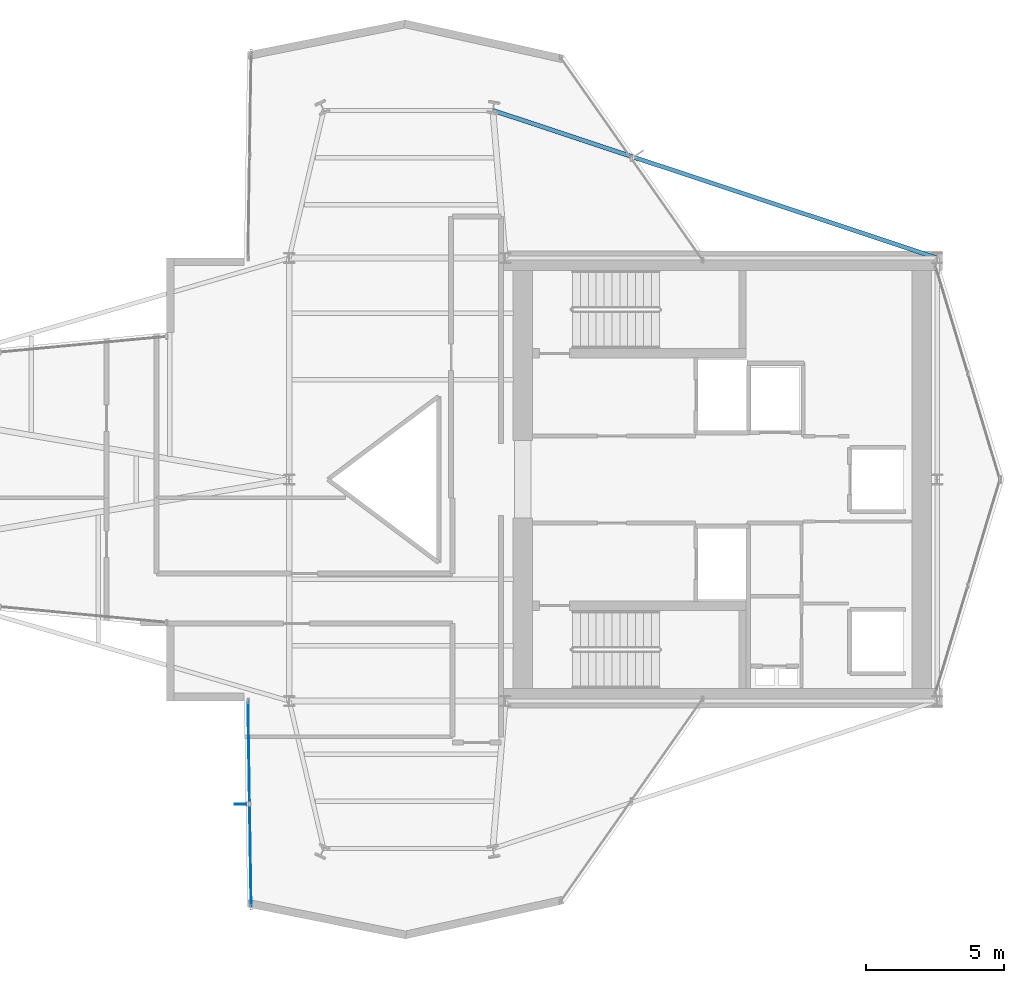
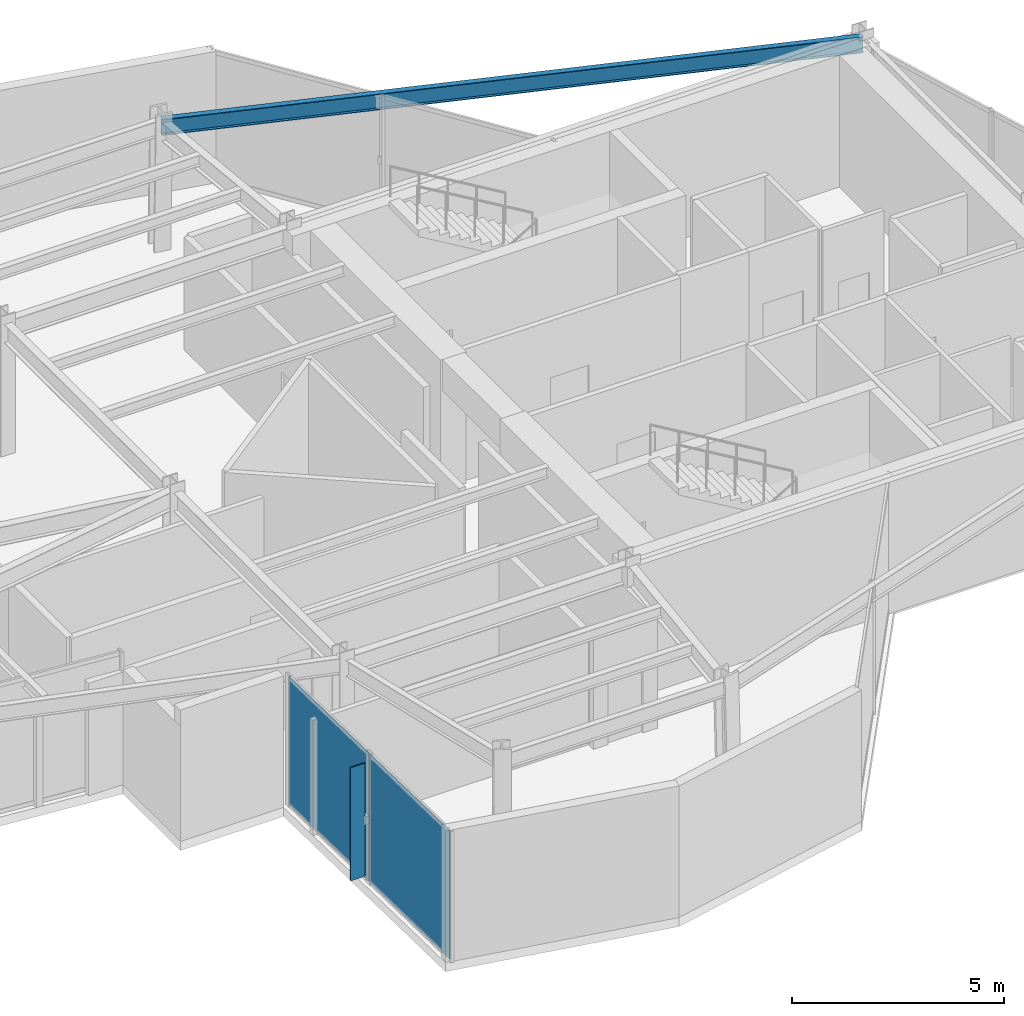
# One storey, part 18 of 23: 3 plates, 1 beam, 1 element without a shape of its own.
"""IFC4 building model written with IfcOpenShell, lengths in metres."""

from ifc_helpers import new_model, si_unit, direction, frame, origin, origin_2d, place, context, subcontext, project, spatial, rectangle, i_section, extrude, material, layer, layer_set, material_profile, profile_set, type_object, element, aggregate, save


model = new_model("IFC4")

# Units and contexts
model_context = context("Model", 3, precision=1e-05, world=origin(), true_north=direction((0.0, 1.0)))
body_context = subcontext(model_context, "Body", "Model", "MODEL_VIEW")
ifc_project = project(units=[si_unit("LENGTHUNIT", "METRE"), si_unit("AREAUNIT", "SQUARE_METRE"), si_unit("VOLUMEUNIT", "CUBIC_METRE"), si_unit("PLANEANGLEUNIT", "RADIAN"), si_unit("MASSUNIT", "GRAM", prefix="KILO")], contexts=[model_context])

# Site, building, storey
site_placement = place(None, origin())
site = spatial("IfcSite", under=ifc_project, at=site_placement, CompositionType="ELEMENT")
building_placement = place(site_placement, origin())
building = spatial("IfcBuilding", under=site, at=building_placement, Name="Veymaron Broadcast Tower", CompositionType="ELEMENT")
storey_placement = place(building_placement, frame((0.0, 0.0, 224.25)))
storey = spatial("IfcBuildingStorey", under=building, at=storey_placement, Name="L52", CompositionType="ELEMENT", Elevation=224.25)

# Beam
ifc_material_1 = material(Name="Structural steel ASTM A992 Gr 50", Category="steel")
ifc_material_profile = material_profile(ifc_material_1, i_section(OverallWidth=0.154052734375, OverallDepth=0.458984375, WebThickness=0.009033203125, FlangeThickness=0.015380859375, at=origin_2d()), Name="W460X68")
ifc_profile_set = profile_set([ifc_material_profile], Name="Structural steel ASTM A992 Gr 50")
beam_type = type_object("IfcBeamType", Name="BM-SP2", PredefinedType="SPANDREL", material=ifc_profile_set)
beam_placement = place(storey_placement, frame((54.60009765625, 32.0, 3.560546875), z_axis=(-0.949007696126, 0.315252902753, 0.0), x_axis=(-0.315252902753, -0.949007696126, 0.0)))
element("IfcBeam", 1, at=beam_placement, inside=storey, type_object=beam_type, Name="L52 primary structural floor girder", PredefinedType="SPANDREL", context=body_context, shape_type="SweptSolid", body=[
    extrude(i_section(OverallWidth=0.154052734375, OverallDepth=0.458984375, WebThickness=0.009033203125, FlangeThickness=0.015380859375, at=origin_2d()), origin(), (0.0, 0.0, 1.0), 16.9072265625),
])

# Curtain wall, plates
ifc_material_2 = material(Name="Anodised aluminium AA 6063-T6 and laminated low-E dark glass", Category="aluminium")
ifc_layer_1 = layer(ifc_material_2, 0.179931640625)
ifc_layer_set_1 = layer_set([ifc_layer_1], Name="Anodised aluminium AA 6063-T6 and laminated low-E dark glass")
curtain_wall_type = type_object("IfcCurtainWallType", Name="CW-SYS-05", PredefinedType="NOTDEFINED", material=ifc_layer_set_1)
curtain_wall_placement = place(storey_placement, origin())
curtain_wall = element("IfcCurtainWall", 2, at=curtain_wall_placement, inside=storey, type_object=curtain_wall_type, Name="L52 dark-glass curtain wall CW-L52-E17-1", PredefinedType="NOTDEFINED")
ifc_material_3 = material(Name="Double-silver solar-control dark glass IGU 32 mm", Category="glass")
ifc_layer_2 = layer(ifc_material_3, 0.031982421875)
ifc_layer_set_2 = layer_set([ifc_layer_2], Name="Double-silver solar-control dark glass IGU 32 mm")
plate_type_1 = type_object("IfcPlateType", Name="CW-PNL-02", PredefinedType="CURTAIN_PANEL", material=ifc_layer_set_2)
plate_1_placement = place(storey_placement, frame((29.7412109375, 14.140869140625, 0.0400390625), z_axis=(0.0, 0.0, 1.0), x_axis=(0.015480452098, -0.999880170622, 0.0)))
plate_1 = element("IfcPlate", 3, at=plate_1_placement, type_object=plate_type_1, Name="CW-L52-E17-1 unitised curtain panel 0", PredefinedType="CURTAIN_PANEL", context=body_context, shape_type="SweptSolid", body=[
    extrude(rectangle(XDim=3.662841796875, YDim=0.031982421875, at=origin_2d()), origin(), (0.0, 0.0, 1.0), 3.7099609375),
])
plate_2_placement = place(storey_placement, frame((29.798828125, 10.41845703125, 0.0400390625), z_axis=(0.0, 0.0, 1.0), x_axis=(0.015480452098, -0.999880170622, 0.0)))
plate_2 = element("IfcPlate", 4, at=plate_2_placement, type_object=plate_type_1, Name="CW-L52-E17-1 unitised curtain panel 1", PredefinedType="CURTAIN_PANEL", context=body_context, shape_type="SweptSolid", body=[
    extrude(rectangle(XDim=3.662841796875, YDim=0.031982421875, at=origin_2d()), origin(), (0.0, 0.0, 1.0), 3.7099609375),
])
aggregate(curtain_wall, [plate_1, plate_2])

# Plate
ifc_material_4 = material(Name="Dark-anodised aluminium AA 6061-T6", Category="aluminium")
ifc_layer_3 = layer(ifc_material_4, 0.031982421875)
ifc_layer_set_3 = layer_set([ifc_layer_3], Name="Dark-anodised aluminium AA 6061-T6")
plate_type_2 = type_object("IfcPlateType", Name="FIN-CHEV-03", PredefinedType="USERDEFINED", material=ifc_layer_set_3)
plate_3_placement = place(storey_placement, frame((29.43994140625, 12.274658203125, 0.26513671875), z_axis=(0.0, 0.0, 1.0), x_axis=(-0.999880170622, -0.015480452098, 0.0)))
element("IfcPlate", 5, at=plate_3_placement, inside=storey, type_object=plate_type_2, Name="CW-L52-E17-1 chevron fin 1", ObjectType="FIN", PredefinedType="USERDEFINED", context=body_context, shape_type="SweptSolid", body=[
    extrude(rectangle(XDim=0.39990234375, YDim=0.034912109375, at=origin_2d()), origin(), (0.0, 0.0, 1.0), 3.259521484375),
])

save(model, "model.ifc")
